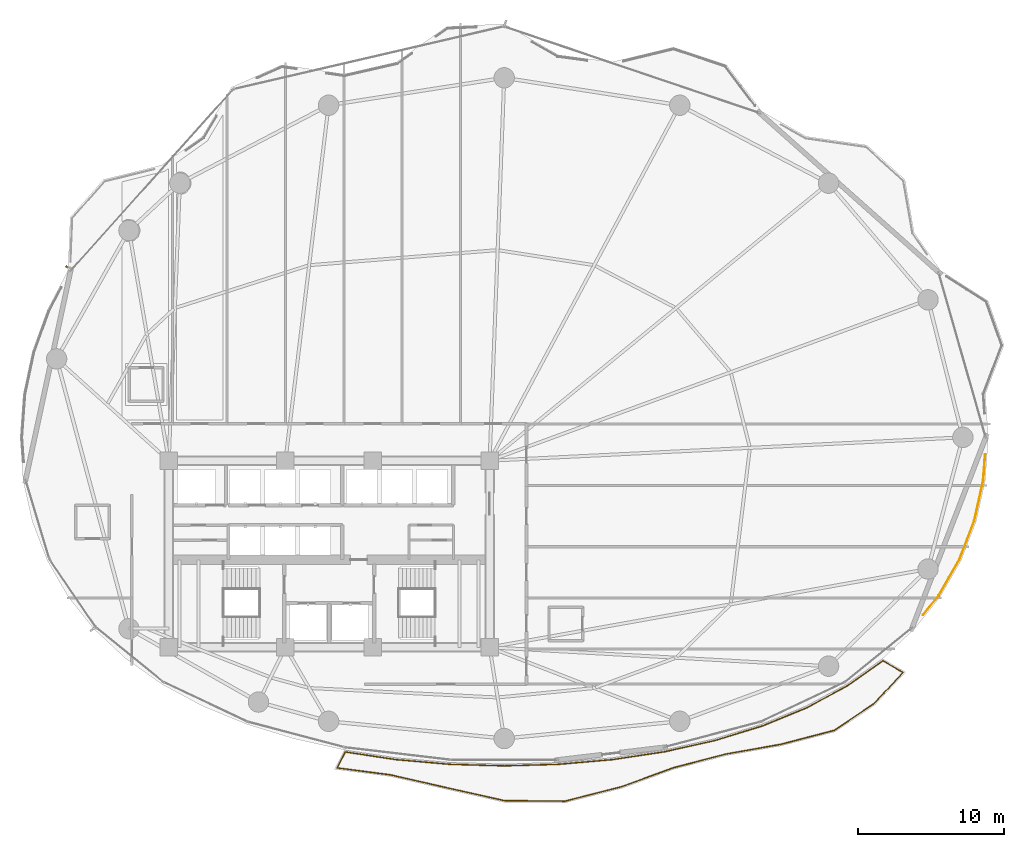
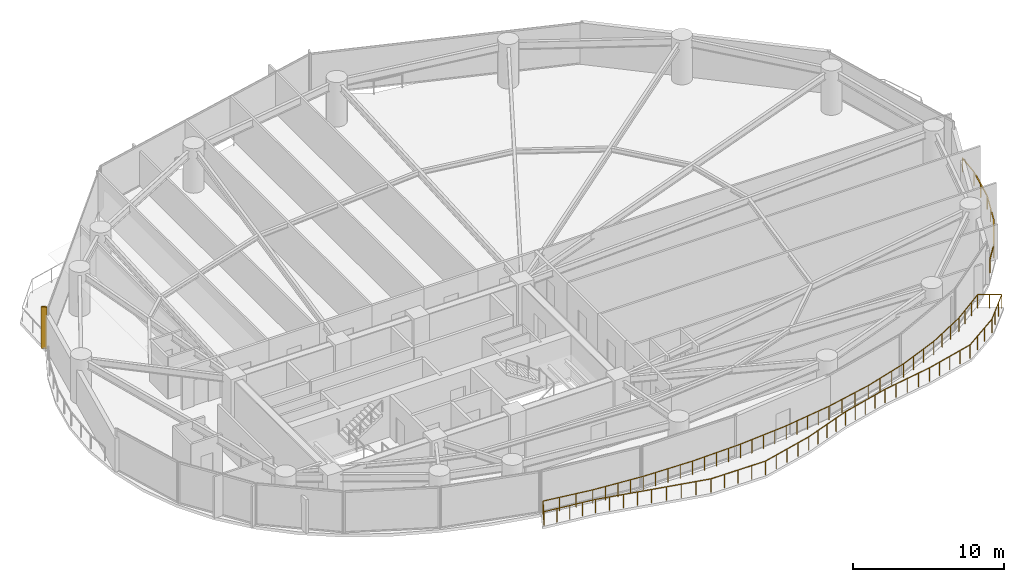
# One storey, part 31 of 32: 2 railings, 1 shading device.
"""IFC4 building model written with IfcOpenShell, lengths in metres."""

from ifc_helpers import new_model, si_unit, direction, frame, origin, origin_2d, place, context, subcontext, project, spatial, rectangle, extrude, material, type_object, element, save


model = new_model("IFC4")

# Units and contexts
model_context = context("Model", 3, precision=1e-05, world=origin(), true_north=direction((0.0, 1.0)))
body_context = subcontext(model_context, "Body", "Model", "MODEL_VIEW")
ifc_project = project(units=[si_unit("LENGTHUNIT", "METRE"), si_unit("AREAUNIT", "SQUARE_METRE"), si_unit("VOLUMEUNIT", "CUBIC_METRE"), si_unit("PLANEANGLEUNIT", "RADIAN"), si_unit("MASSUNIT", "GRAM", prefix="KILO")], contexts=[model_context])

# Site, building, storey
site_placement = place(None, origin())
site = spatial("IfcSite", under=ifc_project, at=site_placement, CompositionType="ELEMENT")
building_placement = place(site_placement, origin())
building = spatial("IfcBuilding", under=site, at=building_placement, Name="Kazevale Care Tower and Concert Hall", CompositionType="ELEMENT")
storey_placement = place(building_placement, frame((0.0, 0.0, 85.199951171875)))
storey = spatial("IfcBuildingStorey", under=building, at=storey_placement, Name="L22", CompositionType="ELEMENT", Elevation=85.199951171875)

# Railings
ifc_material_1 = material(Name="Anodised Bronze Aluminium and Laminated Glass", Category="aluminium")
railing_type = type_object("IfcRailingType", Name="Balcony and Terrace Balustrade 1120", PredefinedType="BALUSTRADE", material=ifc_material_1)
railing_1_placement = place(storey_placement, frame((77.97705078125, 36.833984375, 0.0)))
element("IfcRailing", 1, at=railing_1_placement, inside=storey, type_object=railing_type, Name="rail:L22:perim:10", PredefinedType="BALUSTRADE", context=body_context, shape_type="SweptSolid", body=[
    extrude(rectangle(XDim=0.048095703125, YDim=0.048095703125, at=origin_2d()), frame((0.0, 0.0, 1.09619140625), z_axis=(-0.071286628485, -0.997455872006, 0.0), x_axis=(0.997455872006, -0.071286628485, 0.0)), (0.0, 0.0, 1.0), 1.75341796875),
    extrude(rectangle(XDim=0.048095703125, YDim=0.048095703125, at=origin_2d()), frame((-0.125, -1.7490234375, 1.09619140625), z_axis=(-0.215098010705, -0.976592466585, 0.0), x_axis=(0.976592466585, -0.215098010705, 0.0)), (0.0, 0.0, 1.0), 2.87841796875),
    extrude(rectangle(XDim=0.048095703125, YDim=0.048095703125, at=origin_2d()), frame((-0.744140625, -4.56005859375, 1.09619140625), z_axis=(-0.359784505971, -0.933035427657, 0.0), x_axis=(0.933035427657, -0.359784505971, 0.0)), (0.0, 0.0, 1.0), 2.84326171875),
    extrude(rectangle(XDim=0.048095703125, YDim=0.048095703125, at=origin_2d()), frame((-1.76708984375, -7.212890625, 1.09619140625), z_axis=(-0.498807638719, -0.866712720315, 0.0), x_axis=(0.866712720315, -0.498807638719, 0.0)), (0.0, 0.0, 1.0), 2.8349609375),
    extrude(rectangle(XDim=0.048095703125, YDim=0.048095703125, at=origin_2d()), frame((-3.18115234375, -9.669921875, 1.09619140625), z_axis=(-0.624746863437, -0.780827353917, 0.0), x_axis=(0.780827353917, -0.624746863437, 0.0)), (0.0, 0.0, 1.0), 1.7236328125),
    extrude(rectangle(XDim=0.0419921875, YDim=0.0419921875, at=origin_2d()), origin(), (0.0, 0.0, 1.0), 1.072021484375),
    extrude(rectangle(XDim=0.0419921875, YDim=0.0419921875, at=origin_2d()), frame((-0.125, -1.7490234375, 0.0)), (0.0, 0.0, 1.0), 1.072021484375),
    extrude(rectangle(XDim=0.0419921875, YDim=0.0419921875, at=origin_2d()), frame((-0.4345703125, -3.154541015625, 0.0)), (0.0, 0.0, 1.0), 1.072021484375),
    extrude(rectangle(XDim=0.0419921875, YDim=0.0419921875, at=origin_2d()), frame((-0.744140625, -4.56005859375, 0.0)), (0.0, 0.0, 1.0), 1.072021484375),
    extrude(rectangle(XDim=0.0419921875, YDim=0.0419921875, at=origin_2d()), frame((-1.255615234375, -5.886474609375, 0.0)), (0.0, 0.0, 1.0), 1.072021484375),
    extrude(rectangle(XDim=0.0419921875, YDim=0.0419921875, at=origin_2d()), frame((-1.76708984375, -7.212890625, 0.0)), (0.0, 0.0, 1.0), 1.072021484375),
    extrude(rectangle(XDim=0.0419921875, YDim=0.0419921875, at=origin_2d()), frame((-2.47412109375, -8.44140625, 0.0)), (0.0, 0.0, 1.0), 1.072021484375),
    extrude(rectangle(XDim=0.0419921875, YDim=0.0419921875, at=origin_2d()), frame((-3.18115234375, -9.669921875, 0.0)), (0.0, 0.0, 1.0), 1.072021484375),
    extrude(rectangle(XDim=0.0419921875, YDim=0.0419921875, at=origin_2d()), frame((-4.258056640625, -11.015869140625, 0.0)), (0.0, 0.0, 1.0), 1.072021484375),
])
railing_2_placement = place(storey_placement, frame((34.10009765625, 16.427978515625, 0.0)))
element("IfcRailing", 2, at=railing_2_placement, inside=storey, type_object=railing_type, Name="rail:L22:balcony", PredefinedType="BALUSTRADE", context=body_context, shape_type="SweptSolid", body=[
    extrude(rectangle(XDim=0.048095703125, YDim=0.048095703125, at=origin_2d()), frame((0.0, 0.0, 1.09619140625), z_axis=(0.988835380671, -0.149012046267, 0.0), x_axis=(0.149012046267, 0.988835380671, 0.0)), (0.0, 0.0, 1.0), 3.537353515625),
    extrude(rectangle(XDim=0.048095703125, YDim=0.048095703125, at=origin_2d()), frame((3.497802734375, -0.527099609375, 1.09619140625), z_axis=(0.996240588196, -0.086629616365, 0.0), x_axis=(0.086629616365, 0.996240588196, 0.0)), (0.0, 0.0, 1.0), 3.69189453125),
    extrude(rectangle(XDim=0.048095703125, YDim=0.048095703125, at=origin_2d()), frame((7.17578125, -0.846923828125, 1.09619140625), z_axis=(0.999595500109, -0.02844004504, 0.0), x_axis=(0.02844004504, 0.999595500109, 0.0)), (0.0, 0.0, 1.0), 3.7255859375),
    extrude(rectangle(XDim=0.048095703125, YDim=0.048095703125, at=origin_2d()), frame((10.89990234375, -0.952880859375, 1.09619140625), z_axis=(0.999595500109, 0.02844004504, 0.0), x_axis=(-0.02844004504, 0.999595500109, 0.0)), (0.0, 0.0, 1.0), 3.7255859375),
    extrude(rectangle(XDim=0.048095703125, YDim=0.048095703125, at=origin_2d()), frame((14.6240234375, -0.846923828125, 1.09619140625), z_axis=(0.996240588196, 0.086629616365, 0.0), x_axis=(-0.086629616365, 0.996240588196, 0.0)), (0.0, 0.0, 1.0), 3.69189453125),
    extrude(rectangle(XDim=0.048095703125, YDim=0.048095703125, at=origin_2d()), frame((18.302001953125, -0.527099609375, 1.09619140625), z_axis=(0.988849271471, 0.148919838541, 0.0), x_axis=(-0.148919838541, 0.988849271471, 0.0)), (0.0, 0.0, 1.0), 3.62646484375),
    extrude(rectangle(XDim=0.048095703125, YDim=0.048095703125, at=origin_2d()), frame((21.887939453125, 0.012939453125, 1.09619140625), z_axis=(0.976148024322, 0.217106044625, 0.0), x_axis=(-0.217106044625, 0.976148024322, 0.0)), (0.0, 0.0, 1.0), 3.533203125),
    extrude(rectangle(XDim=0.048095703125, YDim=0.048095703125, at=origin_2d()), frame((25.3369140625, 0.780029296875, 1.09619140625), z_axis=(0.95593940193, 0.293564064282, 0.0), x_axis=(-0.293564064282, 0.95593940193, 0.0)), (0.0, 0.0, 1.0), 3.419677734375),
    extrude(rectangle(XDim=0.048095703125, YDim=0.048095703125, at=origin_2d()), frame((28.60595703125, 1.783935546875, 1.09619140625), z_axis=(0.925168618375, 0.379556356256, 0.0), x_axis=(-0.379556356256, 0.925168618375, 0.0)), (0.0, 0.0, 1.0), 3.293212890625),
    extrude(rectangle(XDim=0.048095703125, YDim=0.048095703125, at=origin_2d()), frame((31.65283203125, 3.033935546875, 1.09619140625), z_axis=(0.880032904554, 0.474912715036, 0.0), x_axis=(-0.474912715036, 0.880032904554, 0.0)), (0.0, 0.0, 1.0), 3.169189453125),
    extrude(rectangle(XDim=0.048095703125, YDim=0.048095703125, at=origin_2d()), frame((34.44189453125, 4.5390625, 1.09619140625), z_axis=(0.816594193991, 0.577212198711, 0.0), x_axis=(-0.577212198711, 0.816594193991, 0.0)), (0.0, 0.0, 1.0), 2.970947265625),
    extrude(rectangle(XDim=0.048095703125, YDim=0.048095703125, at=origin_2d()), frame((36.867919921875, 6.25390625, 1.09619140625), z_axis=(0.8632014365, -0.504859663693, 0.0), x_axis=(0.504859663693, 0.8632014365, 0.0)), (0.0, 0.0, 1.0), 1.59619140625),
    extrude(rectangle(XDim=0.048095703125, YDim=0.048095703125, at=origin_2d()), frame((38.245849609375, 5.447998046875, 1.09619140625), z_axis=(-0.681737852061, -0.731596542547, 0.0), x_axis=(0.731596542547, -0.681737852061, 0.0)), (0.0, 0.0, 1.0), 2.90869140625),
    extrude(rectangle(XDim=0.048095703125, YDim=0.048095703125, at=origin_2d()), frame((36.262939453125, 3.320068359375, 1.09619140625), z_axis=(-0.829316634619, -0.5587789541, 0.0), x_axis=(0.5587789541, -0.829316634619, 0.0)), (0.0, 0.0, 1.0), 3.2822265625),
    extrude(rectangle(XDim=0.048095703125, YDim=0.048095703125, at=origin_2d()), frame((33.541015625, 1.486083984375, 1.09619140625), z_axis=(-0.967414339773, -0.253198529226, 0.0), x_axis=(0.253198529226, -0.967414339773, 0.0)), (0.0, 0.0, 1.0), 3.78759765625),
    extrude(rectangle(XDim=0.048095703125, YDim=0.048095703125, at=origin_2d()), frame((29.876953125, 0.527099609375, 1.09619140625), z_axis=(-0.984665139769, -0.17445504442, 0.0), x_axis=(0.17445504442, -0.984665139769, 0.0)), (0.0, 0.0, 1.0), 3.84716796875),
    extrude(rectangle(XDim=0.048095703125, YDim=0.048095703125, at=origin_2d()), frame((26.0888671875, -0.14404296875, 1.09619140625), z_axis=(-0.967457282804, -0.253034396771, 0.0), x_axis=(0.253034396771, -0.967457282804, 0.0)), (0.0, 0.0, 1.0), 3.69921875),
    extrude(rectangle(XDim=0.048095703125, YDim=0.048095703125, at=origin_2d()), frame((22.510009765625, -1.080078125, 1.09619140625), z_axis=(-0.939280117175, -0.343151368175, 0.0), x_axis=(0.343151368175, -0.939280117175, 0.0)), (0.0, 0.0, 1.0), 3.784912109375),
    extrude(rectangle(XDim=0.048095703125, YDim=0.048095703125, at=origin_2d()), frame((18.954833984375, -2.37890625, 1.09619140625), z_axis=(-0.968801006862, -0.247839886021, 0.0), x_axis=(0.247839886021, -0.968801006862, 0.0)), (0.0, 0.0, 1.0), 4.01513671875),
    extrude(rectangle(XDim=0.048095703125, YDim=0.048095703125, at=origin_2d()), frame((15.06494140625, -3.3740234375, 1.09619140625), z_axis=(-0.99996211933, 0.008704016565, 0.0), x_axis=(-0.008704016565, -0.99996211933, 0.0)), (0.0, 0.0, 1.0), 4.1513671875),
    extrude(rectangle(XDim=0.048095703125, YDim=0.048095703125, at=origin_2d()), frame((10.913818359375, -3.337890625, 1.09619140625), z_axis=(-0.975732054849, 0.218967936327, 0.0), x_axis=(-0.218967936327, -0.975732054849, 0.0)), (0.0, 0.0, 1.0), 4.10986328125),
    extrude(rectangle(XDim=0.048095703125, YDim=0.048095703125, at=origin_2d()), frame((6.90380859375, -2.43798828125, 1.09619140625), z_axis=(-0.974865887854, 0.222792505932, 0.0), x_axis=(-0.222792505932, -0.974865887854, 0.0)), (0.0, 0.0, 1.0), 3.900146484375),
    extrude(rectangle(XDim=0.048095703125, YDim=0.048095703125, at=origin_2d()), frame((3.101806640625, -1.569091796875, 1.09619140625), z_axis=(-0.991650121154, 0.128957501584, 0.0), x_axis=(-0.128957501584, -0.991650121154, 0.0)), (0.0, 0.0, 1.0), 3.691650390625),
    extrude(rectangle(XDim=0.048095703125, YDim=0.048095703125, at=origin_2d()), frame((-0.55908203125, -1.093017578125, 1.09619140625), z_axis=(0.455387836889, 0.890293164083, 0.0), x_axis=(-0.890293164083, 0.455387836889, 0.0)), (0.0, 0.0, 1.0), 1.227783203125),
    extrude(rectangle(XDim=0.0419921875, YDim=0.0419921875, at=origin_2d()), origin(), (0.0, 0.0, 1.0), 1.072021484375),
    extrude(rectangle(XDim=0.0419921875, YDim=0.0419921875, at=origin_2d()), frame((1.166015625, -0.17578125, 0.0)), (0.0, 0.0, 1.0), 1.072021484375),
    extrude(rectangle(XDim=0.0419921875, YDim=0.0419921875, at=origin_2d()), frame((2.331787109375, -0.351318359375, 0.0)), (0.0, 0.0, 1.0), 1.072021484375),
    extrude(rectangle(XDim=0.0419921875, YDim=0.0419921875, at=origin_2d()), frame((3.497802734375, -0.527099609375, 0.0)), (0.0, 0.0, 1.0), 1.072021484375),
    extrude(rectangle(XDim=0.0419921875, YDim=0.0419921875, at=origin_2d()), frame((4.417236328125, -0.60693359375, 0.0)), (0.0, 0.0, 1.0), 1.072021484375),
    extrude(rectangle(XDim=0.0419921875, YDim=0.0419921875, at=origin_2d()), frame((5.3369140625, -0.68701171875, 0.0)), (0.0, 0.0, 1.0), 1.072021484375),
    extrude(rectangle(XDim=0.0419921875, YDim=0.0419921875, at=origin_2d()), frame((6.25634765625, -0.76708984375, 0.0)), (0.0, 0.0, 1.0), 1.072021484375),
    extrude(rectangle(XDim=0.0419921875, YDim=0.0419921875, at=origin_2d()), frame((7.17578125, -0.846923828125, 0.0)), (0.0, 0.0, 1.0), 1.072021484375),
    extrude(rectangle(XDim=0.0419921875, YDim=0.0419921875, at=origin_2d()), frame((8.10693359375, -0.87353515625, 0.0)), (0.0, 0.0, 1.0), 1.072021484375),
    extrude(rectangle(XDim=0.0419921875, YDim=0.0419921875, at=origin_2d()), frame((9.037841796875, -0.89990234375, 0.0)), (0.0, 0.0, 1.0), 1.072021484375),
    extrude(rectangle(XDim=0.0419921875, YDim=0.0419921875, at=origin_2d()), frame((9.96875, -0.92626953125, 0.0)), (0.0, 0.0, 1.0), 1.072021484375),
    extrude(rectangle(XDim=0.0419921875, YDim=0.0419921875, at=origin_2d()), frame((10.89990234375, -0.952880859375, 0.0)), (0.0, 0.0, 1.0), 1.072021484375),
    extrude(rectangle(XDim=0.0419921875, YDim=0.0419921875, at=origin_2d()), frame((11.8310546875, -0.92626953125, 0.0)), (0.0, 0.0, 1.0), 1.072021484375),
    extrude(rectangle(XDim=0.0419921875, YDim=0.0419921875, at=origin_2d()), frame((12.761962890625, -0.89990234375, 0.0)), (0.0, 0.0, 1.0), 1.072021484375),
    extrude(rectangle(XDim=0.0419921875, YDim=0.0419921875, at=origin_2d()), frame((13.69287109375, -0.87353515625, 0.0)), (0.0, 0.0, 1.0), 1.072021484375),
    extrude(rectangle(XDim=0.0419921875, YDim=0.0419921875, at=origin_2d()), frame((14.6240234375, -0.846923828125, 0.0)), (0.0, 0.0, 1.0), 1.072021484375),
    extrude(rectangle(XDim=0.0419921875, YDim=0.0419921875, at=origin_2d()), frame((15.54345703125, -0.76708984375, 0.0)), (0.0, 0.0, 1.0), 1.072021484375),
    extrude(rectangle(XDim=0.0419921875, YDim=0.0419921875, at=origin_2d()), frame((16.462890625, -0.68701171875, 0.0)), (0.0, 0.0, 1.0), 1.072021484375),
    extrude(rectangle(XDim=0.0419921875, YDim=0.0419921875, at=origin_2d()), frame((17.382568359375, -0.60693359375, 0.0)), (0.0, 0.0, 1.0), 1.072021484375),
    extrude(rectangle(XDim=0.0419921875, YDim=0.0419921875, at=origin_2d()), frame((18.302001953125, -0.527099609375, 0.0)), (0.0, 0.0, 1.0), 1.072021484375),
    extrude(rectangle(XDim=0.0419921875, YDim=0.0419921875, at=origin_2d()), frame((19.198486328125, -0.39208984375, 0.0)), (0.0, 0.0, 1.0), 1.072021484375),
    extrude(rectangle(XDim=0.0419921875, YDim=0.0419921875, at=origin_2d()), frame((20.094970703125, -0.257080078125, 0.0)), (0.0, 0.0, 1.0), 1.072021484375),
    extrude(rectangle(XDim=0.0419921875, YDim=0.0419921875, at=origin_2d()), frame((20.991455078125, -0.1220703125, 0.0)), (0.0, 0.0, 1.0), 1.072021484375),
    extrude(rectangle(XDim=0.0419921875, YDim=0.0419921875, at=origin_2d()), frame((21.887939453125, 0.012939453125, 0.0)), (0.0, 0.0, 1.0), 1.072021484375),
    extrude(rectangle(XDim=0.0419921875, YDim=0.0419921875, at=origin_2d()), frame((23.03759765625, 0.2685546875, 0.0)), (0.0, 0.0, 1.0), 1.072021484375),
    extrude(rectangle(XDim=0.0419921875, YDim=0.0419921875, at=origin_2d()), frame((24.187255859375, 0.5244140625, 0.0)), (0.0, 0.0, 1.0), 1.072021484375),
    extrude(rectangle(XDim=0.0419921875, YDim=0.0419921875, at=origin_2d()), frame((25.3369140625, 0.780029296875, 0.0)), (0.0, 0.0, 1.0), 1.072021484375),
    extrude(rectangle(XDim=0.0419921875, YDim=0.0419921875, at=origin_2d()), frame((26.426513671875, 1.11474609375, 0.0)), (0.0, 0.0, 1.0), 1.072021484375),
    extrude(rectangle(XDim=0.0419921875, YDim=0.0419921875, at=origin_2d()), frame((27.516357421875, 1.44921875, 0.0)), (0.0, 0.0, 1.0), 1.072021484375),
    extrude(rectangle(XDim=0.0419921875, YDim=0.0419921875, at=origin_2d()), frame((28.60595703125, 1.783935546875, 0.0)), (0.0, 0.0, 1.0), 1.072021484375),
    extrude(rectangle(XDim=0.0419921875, YDim=0.0419921875, at=origin_2d()), frame((29.62158203125, 2.20068359375, 0.0)), (0.0, 0.0, 1.0), 1.072021484375),
    extrude(rectangle(XDim=0.0419921875, YDim=0.0419921875, at=origin_2d()), frame((30.63720703125, 2.6171875, 0.0)), (0.0, 0.0, 1.0), 1.072021484375),
    extrude(rectangle(XDim=0.0419921875, YDim=0.0419921875, at=origin_2d()), frame((31.65283203125, 3.033935546875, 0.0)), (0.0, 0.0, 1.0), 1.072021484375),
    extrude(rectangle(XDim=0.0419921875, YDim=0.0419921875, at=origin_2d()), frame((32.58251953125, 3.53564453125, 0.0)), (0.0, 0.0, 1.0), 1.072021484375),
    extrude(rectangle(XDim=0.0419921875, YDim=0.0419921875, at=origin_2d()), frame((33.51220703125, 4.037353515625, 0.0)), (0.0, 0.0, 1.0), 1.072021484375),
    extrude(rectangle(XDim=0.0419921875, YDim=0.0419921875, at=origin_2d()), frame((34.44189453125, 4.5390625, 0.0)), (0.0, 0.0, 1.0), 1.072021484375),
    extrude(rectangle(XDim=0.0419921875, YDim=0.0419921875, at=origin_2d()), frame((35.25048828125, 5.110595703125, 0.0)), (0.0, 0.0, 1.0), 1.072021484375),
    extrude(rectangle(XDim=0.0419921875, YDim=0.0419921875, at=origin_2d()), frame((36.059326171875, 5.682373046875, 0.0)), (0.0, 0.0, 1.0), 1.072021484375),
    extrude(rectangle(XDim=0.0419921875, YDim=0.0419921875, at=origin_2d()), frame((36.867919921875, 6.25390625, 0.0)), (0.0, 0.0, 1.0), 1.072021484375),
    extrude(rectangle(XDim=0.0419921875, YDim=0.0419921875, at=origin_2d()), frame((37.556884765625, 5.85107421875, 0.0)), (0.0, 0.0, 1.0), 1.072021484375),
    extrude(rectangle(XDim=0.0419921875, YDim=0.0419921875, at=origin_2d()), frame((38.245849609375, 5.447998046875, 0.0)), (0.0, 0.0, 1.0), 1.072021484375),
    extrude(rectangle(XDim=0.0419921875, YDim=0.0419921875, at=origin_2d()), frame((37.5849609375, 4.73876953125, 0.0)), (0.0, 0.0, 1.0), 1.072021484375),
    extrude(rectangle(XDim=0.0419921875, YDim=0.0419921875, at=origin_2d()), frame((36.923828125, 4.029296875, 0.0)), (0.0, 0.0, 1.0), 1.072021484375),
    extrude(rectangle(XDim=0.0419921875, YDim=0.0419921875, at=origin_2d()), frame((36.262939453125, 3.320068359375, 0.0)), (0.0, 0.0, 1.0), 1.072021484375),
    extrude(rectangle(XDim=0.0419921875, YDim=0.0419921875, at=origin_2d()), frame((35.355712890625, 2.708740234375, 0.0)), (0.0, 0.0, 1.0), 1.072021484375),
    extrude(rectangle(XDim=0.0419921875, YDim=0.0419921875, at=origin_2d()), frame((34.4482421875, 2.097412109375, 0.0)), (0.0, 0.0, 1.0), 1.072021484375),
    extrude(rectangle(XDim=0.0419921875, YDim=0.0419921875, at=origin_2d()), frame((33.541015625, 1.486083984375, 0.0)), (0.0, 0.0, 1.0), 1.072021484375),
    extrude(rectangle(XDim=0.0419921875, YDim=0.0419921875, at=origin_2d()), frame((32.625, 1.246337890625, 0.0)), (0.0, 0.0, 1.0), 1.072021484375),
    extrude(rectangle(XDim=0.0419921875, YDim=0.0419921875, at=origin_2d()), frame((31.708984375, 1.006591796875, 0.0)), (0.0, 0.0, 1.0), 1.072021484375),
    extrude(rectangle(XDim=0.0419921875, YDim=0.0419921875, at=origin_2d()), frame((30.79296875, 0.766845703125, 0.0)), (0.0, 0.0, 1.0), 1.072021484375),
    extrude(rectangle(XDim=0.0419921875, YDim=0.0419921875, at=origin_2d()), frame((29.876953125, 0.527099609375, 0.0)), (0.0, 0.0, 1.0), 1.072021484375),
    extrude(rectangle(XDim=0.0419921875, YDim=0.0419921875, at=origin_2d()), frame((28.929931640625, 0.359375, 0.0)), (0.0, 0.0, 1.0), 1.072021484375),
    extrude(rectangle(XDim=0.0419921875, YDim=0.0419921875, at=origin_2d()), frame((27.98291015625, 0.19140625, 0.0)), (0.0, 0.0, 1.0), 1.072021484375),
    extrude(rectangle(XDim=0.0419921875, YDim=0.0419921875, at=origin_2d()), frame((27.035888671875, 0.023681640625, 0.0)), (0.0, 0.0, 1.0), 1.072021484375),
    extrude(rectangle(XDim=0.0419921875, YDim=0.0419921875, at=origin_2d()), frame((26.0888671875, -0.14404296875, 0.0)), (0.0, 0.0, 1.0), 1.072021484375),
    extrude(rectangle(XDim=0.0419921875, YDim=0.0419921875, at=origin_2d()), frame((25.194091796875, -0.3779296875, 0.0)), (0.0, 0.0, 1.0), 1.072021484375),
    extrude(rectangle(XDim=0.0419921875, YDim=0.0419921875, at=origin_2d()), frame((24.29931640625, -0.612060546875, 0.0)), (0.0, 0.0, 1.0), 1.072021484375),
    extrude(rectangle(XDim=0.0419921875, YDim=0.0419921875, at=origin_2d()), frame((23.40478515625, -0.84619140625, 0.0)), (0.0, 0.0, 1.0), 1.072021484375),
    extrude(rectangle(XDim=0.0419921875, YDim=0.0419921875, at=origin_2d()), frame((22.510009765625, -1.080078125, 0.0)), (0.0, 0.0, 1.0), 1.072021484375),
    extrude(rectangle(XDim=0.0419921875, YDim=0.0419921875, at=origin_2d()), frame((21.62109375, -1.40478515625, 0.0)), (0.0, 0.0, 1.0), 1.072021484375),
    extrude(rectangle(XDim=0.0419921875, YDim=0.0419921875, at=origin_2d()), frame((20.732421875, -1.7294921875, 0.0)), (0.0, 0.0, 1.0), 1.072021484375),
    extrude(rectangle(XDim=0.0419921875, YDim=0.0419921875, at=origin_2d()), frame((19.84375, -2.05419921875, 0.0)), (0.0, 0.0, 1.0), 1.072021484375),
    extrude(rectangle(XDim=0.0419921875, YDim=0.0419921875, at=origin_2d()), frame((18.954833984375, -2.37890625, 0.0)), (0.0, 0.0, 1.0), 1.072021484375),
    extrude(rectangle(XDim=0.0419921875, YDim=0.0419921875, at=origin_2d()), frame((17.982421875, -2.627685546875, 0.0)), (0.0, 0.0, 1.0), 1.072021484375),
    extrude(rectangle(XDim=0.0419921875, YDim=0.0419921875, at=origin_2d()), frame((17.009765625, -2.87646484375, 0.0)), (0.0, 0.0, 1.0), 1.072021484375),
    extrude(rectangle(XDim=0.0419921875, YDim=0.0419921875, at=origin_2d()), frame((16.037353515625, -3.125244140625, 0.0)), (0.0, 0.0, 1.0), 1.072021484375),
    extrude(rectangle(XDim=0.0419921875, YDim=0.0419921875, at=origin_2d()), frame((15.06494140625, -3.3740234375, 0.0)), (0.0, 0.0, 1.0), 1.072021484375),
    extrude(rectangle(XDim=0.0419921875, YDim=0.0419921875, at=origin_2d()), frame((14.027099609375, -3.364990234375, 0.0)), (0.0, 0.0, 1.0), 1.072021484375),
    extrude(rectangle(XDim=0.0419921875, YDim=0.0419921875, at=origin_2d()), frame((12.9892578125, -3.35595703125, 0.0)), (0.0, 0.0, 1.0), 1.072021484375),
    extrude(rectangle(XDim=0.0419921875, YDim=0.0419921875, at=origin_2d()), frame((11.95166015625, -3.346923828125, 0.0)), (0.0, 0.0, 1.0), 1.072021484375),
    extrude(rectangle(XDim=0.0419921875, YDim=0.0419921875, at=origin_2d()), frame((10.913818359375, -3.337890625, 0.0)), (0.0, 0.0, 1.0), 1.072021484375),
    extrude(rectangle(XDim=0.0419921875, YDim=0.0419921875, at=origin_2d()), frame((9.911376953125, -3.11279296875, 0.0)), (0.0, 0.0, 1.0), 1.072021484375),
    extrude(rectangle(XDim=0.0419921875, YDim=0.0419921875, at=origin_2d()), frame((8.90869140625, -2.887939453125, 0.0)), (0.0, 0.0, 1.0), 1.072021484375),
    extrude(rectangle(XDim=0.0419921875, YDim=0.0419921875, at=origin_2d()), frame((7.90625, -2.6630859375, 0.0)), (0.0, 0.0, 1.0), 1.072021484375),
    extrude(rectangle(XDim=0.0419921875, YDim=0.0419921875, at=origin_2d()), frame((6.90380859375, -2.43798828125, 0.0)), (0.0, 0.0, 1.0), 1.072021484375),
    extrude(rectangle(XDim=0.0419921875, YDim=0.0419921875, at=origin_2d()), frame((5.953369140625, -2.220703125, 0.0)), (0.0, 0.0, 1.0), 1.072021484375),
    extrude(rectangle(XDim=0.0419921875, YDim=0.0419921875, at=origin_2d()), frame((5.0029296875, -2.00341796875, 0.0)), (0.0, 0.0, 1.0), 1.072021484375),
    extrude(rectangle(XDim=0.0419921875, YDim=0.0419921875, at=origin_2d()), frame((4.05224609375, -1.786376953125, 0.0)), (0.0, 0.0, 1.0), 1.072021484375),
    extrude(rectangle(XDim=0.0419921875, YDim=0.0419921875, at=origin_2d()), frame((3.101806640625, -1.569091796875, 0.0)), (0.0, 0.0, 1.0), 1.072021484375),
    extrude(rectangle(XDim=0.0419921875, YDim=0.0419921875, at=origin_2d()), frame((2.1865234375, -1.4501953125, 0.0)), (0.0, 0.0, 1.0), 1.072021484375),
    extrude(rectangle(XDim=0.0419921875, YDim=0.0419921875, at=origin_2d()), frame((1.271484375, -1.3310546875, 0.0)), (0.0, 0.0, 1.0), 1.072021484375),
    extrude(rectangle(XDim=0.0419921875, YDim=0.0419921875, at=origin_2d()), frame((0.356201171875, -1.2119140625, 0.0)), (0.0, 0.0, 1.0), 1.072021484375),
    extrude(rectangle(XDim=0.0419921875, YDim=0.0419921875, at=origin_2d()), frame((-0.55908203125, -1.093017578125, 0.0)), (0.0, 0.0, 1.0), 1.072021484375),
    extrude(rectangle(XDim=0.0419921875, YDim=0.0419921875, at=origin_2d()), frame((-0.279541015625, -0.54638671875, 0.0)), (0.0, 0.0, 1.0), 1.072021484375),
])

# Shading device
ifc_material_2 = material(Name="Honed Ochre Limestone", Category="masonry")
shading_device_type = type_object("IfcShadingDeviceType", Name="Vertical Honed Limestone Fin FIN-01", PredefinedType="USERDEFINED", material=ifc_material_2)
shading_device_placement = place(storey_placement, frame((15.087158203125, 49.62109375, 0.0), z_axis=(0.0, 0.0, 1.0), x_axis=(-0.744777599887, 0.667312765281, 0.0)))
element("IfcShadingDevice", 3, at=shading_device_placement, inside=storey, type_object=shading_device_type, Name="cw:L22:f14:fin", ObjectType="FIN", PredefinedType="USERDEFINED", context=body_context, shape_type="SweptSolid", body=[
    extrude(rectangle(XDim=0.3798828125, YDim=0.1201171875, at=origin_2d()), origin(), (0.0, 0.0, 1.0), 3.360107421875),
])

save(model, "model.ifc")
